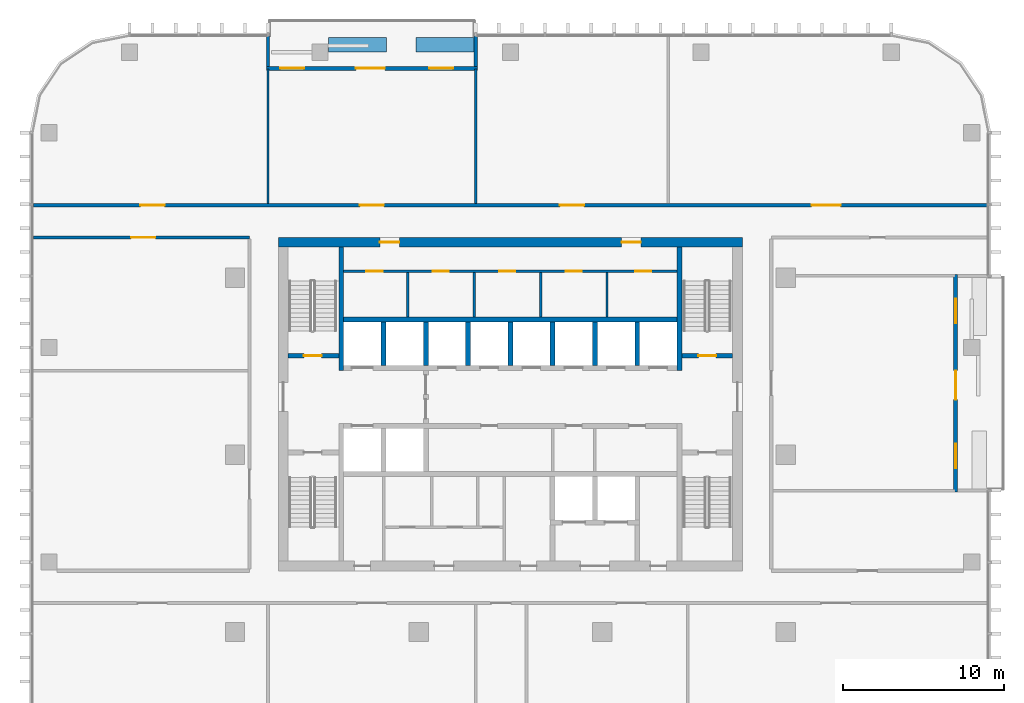
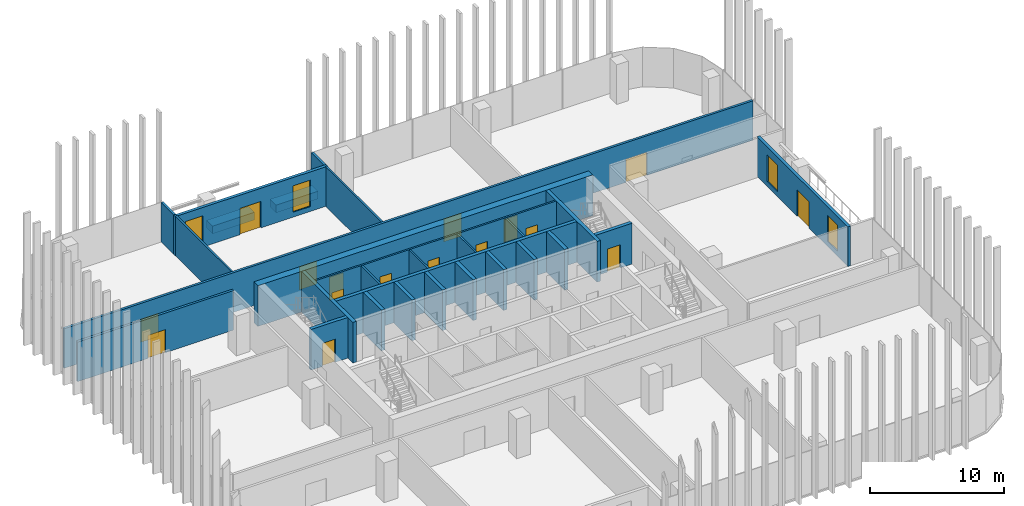
# One storey, part 9 of 16: 28 walls, 16 doors, 4 windows, 20 openings.
"""IFC4 building model written with IfcOpenShell, lengths in metres."""

from ifc_helpers import new_model, si_unit, direction, frame, frame_2d, origin, place, context, subcontext, project, spatial, rectangle, extrude, material, layer, layer_set, type_object, element, fill, save


model = new_model("IFC4")

# Units and contexts
model_context = context("Model", 3, precision=1e-05, world=origin(), true_north=direction((0.0, 1.0)))
body_context = subcontext(model_context, "Body", "Model", "MODEL_VIEW")
ifc_project = project(units=[si_unit("LENGTHUNIT", "METRE"), si_unit("AREAUNIT", "SQUARE_METRE"), si_unit("VOLUMEUNIT", "CUBIC_METRE"), si_unit("PLANEANGLEUNIT", "RADIAN"), si_unit("MASSUNIT", "GRAM", prefix="KILO")], contexts=[model_context])

# Site, building, storey
site_placement = place(None, origin())
site = spatial("IfcSite", under=ifc_project, at=site_placement, CompositionType="ELEMENT")
building_placement = place(site_placement, origin())
building = spatial("IfcBuilding", under=site, at=building_placement, Name="Mopane Tessera Tower", CompositionType="ELEMENT")
storey_placement = place(building_placement, frame((0.0, 0.0, 291.39990234375)))
storey = spatial("IfcBuildingStorey", under=building, at=storey_placement, Name="L63", CompositionType="ELEMENT", Elevation=291.39990234375)

# Walls
ifc_material_1 = material(Name="Fire-rated gypsum board partition")
ifc_layer_1 = layer(ifc_material_1, 0.14990234375)
ifc_layer_set_1 = layer_set([ifc_layer_1], Name="Fire-rated gypsum board partition")
wall_type_1 = type_object("IfcWallType", Name="Core room partition 150 mm", PredefinedType="PARTITIONING", material=ifc_layer_set_1)
for number, where, z_axis, x_axis, name in (
    (1, (-6.375, 8.550048828125, 0.0), (0.0, 0.0, 1.0), (0.0, 1.0, 0.0), "L63 Room partition"),
    (2, (-2.25, 8.550048828125, 0.0), (0.0, 0.0, 1.0), (0.0, 1.0, 0.0), "L63 Room partition"),
    (3, (1.875, 8.550048828125, 0.0), (0.0, 0.0, 1.0), (0.0, 1.0, 0.0), "L63 Room partition"),
    (4, (6.0, 8.550048828125, 0.0), (0.0, 0.0, 1.0), (0.0, 1.0, 0.0), "L63 Room partition"),
):
    element("IfcWall", number, at=place(storey_placement, frame(where, z_axis=z_axis, x_axis=x_axis)), inside=storey, type_object=wall_type_1, Name=name, PredefinedType="PARTITIONING", context=body_context, shape_type="SweptSolid", body=[
        extrude(rectangle(XDim=2.77490234375, YDim=0.14990234375, at=frame_2d((1.387451171875, 0.0))), origin(), (0.0, 0.0, 1.0), 3.7001953125),
    ])

# Wall, openings, doors
wall_1_placement = place(storey_placement, frame((-10.35009765625, 11.39990234375, 0.0), z_axis=(0.0, 0.0, 1.0), x_axis=(1.0, 0.0, 0.0)))
wall_1 = element("IfcWall", 5, at=wall_1_placement, inside=storey, type_object=wall_type_1, Name="L63 Corridor wall", PredefinedType="PARTITIONING", context=body_context, shape_type="SweptSolid", body=[
    extrude(rectangle(XDim=20.7001953125, YDim=0.14990234375, at=frame_2d((10.35009765625, 0.0))), origin(), (0.0, 0.0, 1.0), 3.7001953125),
])
opening_1_placement = place(wall_1_placement, frame((1.41259765625, 0.0, 0.0)))
opening_1 = element("IfcOpeningElement", 6, at=opening_1_placement, cuts=wall_1, Name="Opening RD1", PredefinedType="OPENING", context=body_context, shape_type="SweptSolid", body=[
    extrude(rectangle(XDim=1.0, YDim=2.10009765625, at=frame_2d((0.5, 1.050048828125))), frame((0.0, 0.0869140625, 0.0), z_axis=(0.0, -1.0, 0.0), x_axis=(1.0, 0.0, 0.0)), (0.0, 0.0, 1.0), 0.173828125),
])
opening_2_placement = place(wall_1_placement, frame((5.53759765625, 0.0, 0.0)))
opening_2 = element("IfcOpeningElement", 7, at=opening_2_placement, cuts=wall_1, Name="Opening RD1", PredefinedType="OPENING", context=body_context, shape_type="SweptSolid", body=[
    extrude(rectangle(XDim=1.0, YDim=2.10009765625, at=frame_2d((0.5, 1.050048828125))), frame((0.0, 0.0869140625, 0.0), z_axis=(0.0, -1.0, 0.0), x_axis=(1.0, 0.0, 0.0)), (0.0, 0.0, 1.0), 0.173828125),
])
opening_3_placement = place(wall_1_placement, frame((9.66259765625, 0.0, 0.0)))
opening_3 = element("IfcOpeningElement", 8, at=opening_3_placement, cuts=wall_1, Name="Opening RD1", PredefinedType="OPENING", context=body_context, shape_type="SweptSolid", body=[
    extrude(rectangle(XDim=1.0, YDim=2.10009765625, at=frame_2d((0.5, 1.050048828125))), frame((0.0, 0.0869140625, 0.0), z_axis=(0.0, -1.0, 0.0), x_axis=(1.0, 0.0, 0.0)), (0.0, 0.0, 1.0), 0.173828125),
])
opening_4_placement = place(wall_1_placement, frame((13.78759765625, 0.0, 0.0)))
opening_4 = element("IfcOpeningElement", 9, at=opening_4_placement, cuts=wall_1, Name="Opening RD1", PredefinedType="OPENING", context=body_context, shape_type="SweptSolid", body=[
    extrude(rectangle(XDim=1.0, YDim=2.10009765625, at=frame_2d((0.5, 1.050048828125))), frame((0.0, 0.0869140625, 0.0), z_axis=(0.0, -1.0, 0.0), x_axis=(1.0, 0.0, 0.0)), (0.0, 0.0, 1.0), 0.173828125),
])
opening_5_placement = place(wall_1_placement, frame((18.10009765625, 0.0, 0.0)))
opening_5 = element("IfcOpeningElement", 10, at=opening_5_placement, cuts=wall_1, Name="Opening RD1", PredefinedType="OPENING", context=body_context, shape_type="SweptSolid", body=[
    extrude(rectangle(XDim=1.0, YDim=2.10009765625, at=frame_2d((0.5, 1.050048828125))), frame((0.0, 0.0869140625, 0.0), z_axis=(0.0, -1.0, 0.0), x_axis=(1.0, 0.0, 0.0)), (0.0, 0.0, 1.0), 0.173828125),
])
ifc_material_2 = material(Name="Timber door", Category="wood")
door_type_1 = type_object("IfcDoorType", Name="Core room door 1000 x 2100", OperationType="SINGLE_SWING_LEFT", PredefinedType="DOOR", material=ifc_material_2)
door_1_placement = place(opening_1_placement, origin())
door_1 = element("IfcDoor", 11, at=door_1_placement, inside=storey, type_object=door_type_1, Name="L63 Room door", OperationType="SINGLE_SWING_LEFT", OverallHeight=2.10009765625, OverallWidth=1.0, PredefinedType="DOOR", context=body_context, shape_type="SweptSolid", body=[
    extrude(rectangle(XDim=1.0, YDim=2.10009765625, at=frame_2d((0.5, 1.050048828125))), frame((0.0, 0.02490234375, 0.0), z_axis=(0.0, -1.0, 0.0), x_axis=(1.0, 0.0, 0.0)), (0.0, 0.0, 1.0), 0.050048828125),
])
fill(opening_1, door_1)
door_2_placement = place(opening_2_placement, origin())
door_2 = element("IfcDoor", 12, at=door_2_placement, inside=storey, type_object=door_type_1, Name="L63 Room door", OperationType="SINGLE_SWING_LEFT", OverallHeight=2.10009765625, OverallWidth=1.0, PredefinedType="DOOR", context=body_context, shape_type="SweptSolid", body=[
    extrude(rectangle(XDim=1.0, YDim=2.10009765625, at=frame_2d((0.5, 1.050048828125))), frame((0.0, 0.02490234375, 0.0), z_axis=(0.0, -1.0, 0.0), x_axis=(1.0, 0.0, 0.0)), (0.0, 0.0, 1.0), 0.050048828125),
])
fill(opening_2, door_2)
door_3_placement = place(opening_3_placement, origin())
door_3 = element("IfcDoor", 13, at=door_3_placement, inside=storey, type_object=door_type_1, Name="L63 Room door", OperationType="SINGLE_SWING_LEFT", OverallHeight=2.10009765625, OverallWidth=1.0, PredefinedType="DOOR", context=body_context, shape_type="SweptSolid", body=[
    extrude(rectangle(XDim=1.0, YDim=2.10009765625, at=frame_2d((0.5, 1.050048828125))), frame((0.0, 0.02490234375, 0.0), z_axis=(0.0, -1.0, 0.0), x_axis=(1.0, 0.0, 0.0)), (0.0, 0.0, 1.0), 0.050048828125),
])
fill(opening_3, door_3)
door_4_placement = place(opening_4_placement, origin())
door_4 = element("IfcDoor", 14, at=door_4_placement, inside=storey, type_object=door_type_1, Name="L63 Room door", OperationType="SINGLE_SWING_LEFT", OverallHeight=2.10009765625, OverallWidth=1.0, PredefinedType="DOOR", context=body_context, shape_type="SweptSolid", body=[
    extrude(rectangle(XDim=1.0, YDim=2.10009765625, at=frame_2d((0.5, 1.050048828125))), frame((0.0, 0.02490234375, 0.0), z_axis=(0.0, -1.0, 0.0), x_axis=(1.0, 0.0, 0.0)), (0.0, 0.0, 1.0), 0.050048828125),
])
fill(opening_4, door_4)
door_5_placement = place(opening_5_placement, origin())
door_5 = element("IfcDoor", 15, at=door_5_placement, inside=storey, type_object=door_type_1, Name="L63 Room door", OperationType="SINGLE_SWING_LEFT", OverallHeight=2.10009765625, OverallWidth=1.0, PredefinedType="DOOR", context=body_context, shape_type="SweptSolid", body=[
    extrude(rectangle(XDim=1.0, YDim=2.10009765625, at=frame_2d((0.5, 1.050048828125))), frame((0.0, 0.02490234375, 0.0), z_axis=(0.0, -1.0, 0.0), x_axis=(1.0, 0.0, 0.0)), (0.0, 0.0, 1.0), 0.050048828125),
])
fill(opening_5, door_5)

ifc_material_3 = material(Name="Concrete C70/85", Category="concrete")
ifc_layer_2 = layer(ifc_material_3, 0.60009765625)
ifc_layer_set_2 = layer_set([ifc_layer_2], Name="Concrete C70/85")
wall_type_2 = type_object("IfcWallType", Name="Core shear wall 600 mm", PredefinedType="SHEAR", material=ifc_layer_set_2)
wall_2_placement = place(storey_placement, frame((-14.39990234375, 13.199951171875, 0.0), z_axis=(0.0, 0.0, 1.0), x_axis=(1.0, 0.0, 0.0)))
wall_2 = element("IfcWall", 16, at=wall_2_placement, inside=storey, type_object=wall_type_2, Name="L63 Core wall north", PredefinedType="SHEAR", context=body_context, shape_type="SweptSolid", body=[
    extrude(rectangle(XDim=28.7998046875, YDim=0.60009765625, at=frame_2d((14.39990234375, 0.0))), origin(), (0.0, 0.0, 1.0), 3.7001953125),
])
opening_6_placement = place(wall_2_placement, frame((6.300048828125, 0.0, 0.0)))
opening_6 = element("IfcOpeningElement", 17, at=opening_6_placement, cuts=wall_2, Name="Opening RD2", PredefinedType="OPENING", context=body_context, shape_type="SweptSolid", body=[
    extrude(rectangle(XDim=1.199951171875, YDim=2.10009765625, at=frame_2d((0.60009765625, 1.050048828125))), frame((0.0, 0.31201171875, 0.0), z_axis=(0.0, -1.0, 0.0), x_axis=(1.0, 0.0, 0.0)), (0.0, 0.0, 1.0), 0.6240234375),
])
opening_7_placement = place(wall_2_placement, frame((21.300048828125, 0.0, 0.0)))
opening_7 = element("IfcOpeningElement", 18, at=opening_7_placement, cuts=wall_2, Name="Opening RD2", PredefinedType="OPENING", context=body_context, shape_type="SweptSolid", body=[
    extrude(rectangle(XDim=1.199951171875, YDim=2.10009765625, at=frame_2d((0.60009765625, 1.050048828125))), frame((0.0, 0.31201171875, 0.0), z_axis=(0.0, -1.0, 0.0), x_axis=(1.0, 0.0, 0.0)), (0.0, 0.0, 1.0), 0.6240234375),
])
ifc_material_4 = material(Name="Timber door", Category="wood")
door_type_2 = type_object("IfcDoorType", Name="Core corridor door 1200 x 2100", OperationType="SINGLE_SWING_LEFT", PredefinedType="DOOR", material=ifc_material_4)
door_6_placement = place(opening_6_placement, origin())
door_6 = element("IfcDoor", 19, at=door_6_placement, inside=storey, type_object=door_type_2, Name="L63 Corridor door", OperationType="SINGLE_SWING_LEFT", OverallHeight=2.10009765625, OverallWidth=1.199951171875, PredefinedType="DOOR", context=body_context, shape_type="SweptSolid", body=[
    extrude(rectangle(XDim=1.199951171875, YDim=2.10009765625, at=frame_2d((0.60009765625, 1.050048828125))), frame((0.0, 0.02490234375, 0.0), z_axis=(0.0, -1.0, 0.0), x_axis=(1.0, 0.0, 0.0)), (0.0, 0.0, 1.0), 0.050048828125),
])
fill(opening_6, door_6)
door_7_placement = place(opening_7_placement, origin())
door_7 = element("IfcDoor", 20, at=door_7_placement, inside=storey, type_object=door_type_2, Name="L63 Corridor door", OperationType="SINGLE_SWING_RIGHT", OverallHeight=2.10009765625, OverallWidth=1.199951171875, PredefinedType="DOOR", context=body_context, shape_type="SweptSolid", body=[
    extrude(rectangle(XDim=1.199951171875, YDim=2.10009765625, at=frame_2d((0.60009765625, 1.050048828125))), frame((0.0, 0.02490234375, 0.0), z_axis=(0.0, -1.0, 0.0), x_axis=(1.0, 0.0, 0.0)), (0.0, 0.0, 1.0), 0.050048828125),
])
fill(opening_7, door_7)

# Walls
ifc_material_5 = material(Name="Concrete C60/75", Category="concrete")
ifc_layer_3 = layer(ifc_material_5, 0.300048828125)
ifc_layer_set_3 = layer_set([ifc_layer_3], Name="Concrete C60/75")
wall_type_3 = type_object("IfcWallType", Name="Core spine wall 300 mm", PredefinedType="SHEAR", material=ifc_layer_set_3)
for number, where, z_axis, x_axis, name in (
    (21, (-10.5, 5.25, 0.0), (0.0, 0.0, 1.0), (0.0, 1.0, 0.0), "L63 Core spine wall"),
    (22, (10.5, 5.25, 0.0), (0.0, 0.0, 1.0), (0.0, 1.0, 0.0), "L63 Core spine wall"),
):
    element("IfcWall", number, at=place(storey_placement, frame(where, z_axis=z_axis, x_axis=x_axis)), inside=storey, type_object=wall_type_3, Name=name, PredefinedType="SHEAR", context=body_context, shape_type="SweptSolid", body=[
        extrude(rectangle(XDim=7.64990234375, YDim=0.300048828125, at=frame_2d((3.824951171875, 0.0))), origin(), (0.0, 0.0, 1.0), 3.7001953125),
    ])

# Wall, opening, door
ifc_material_6 = material(Name="Gypsum board on steel studs, two layers each face, mineral wool infill", Category="steel")
ifc_layer_4 = layer(ifc_material_6, 0.199951171875)
ifc_layer_set_4 = layer_set([ifc_layer_4], Name="Gypsum board on steel studs, two layers each face, mineral wool infill")
wall_type_4 = type_object("IfcWallType", Name="Gypsum board corridor wall 200, rated EI 60", PredefinedType="PARTITIONING", material=ifc_layer_set_4)
wall_3_placement = place(storey_placement, frame((-29.60009765625, 13.5, 0.0), z_axis=(0.0, 0.0, 1.0), x_axis=(1.0, 0.0, 0.0)))
wall_3 = element("IfcWall", 23, at=wall_3_placement, inside=storey, type_object=wall_type_4, Name="Partition L63:006", PredefinedType="PARTITIONING", context=body_context, shape_type="SweptSolid", body=[
    extrude(rectangle(XDim=13.400146484375, YDim=0.199951171875, at=frame_2d((6.7001953125, 0.0))), origin(), (0.0, 0.0, 1.0), 3.60009765625),
])
opening_8_placement = place(wall_3_placement, frame((6.050048828125, 0.0, 0.0)))
opening_8 = element("IfcOpeningElement", 24, at=opening_8_placement, cuts=wall_3, Name="Opening L63-05", PredefinedType="OPENING", context=body_context, shape_type="SweptSolid", body=[
    extrude(rectangle(XDim=1.5, YDim=2.10009765625, at=frame_2d((0.75, 1.050048828125))), frame((0.0, 0.112060546875, 0.0), z_axis=(0.0, -1.0, 0.0), x_axis=(1.0, 0.0, 0.0)), (0.0, 0.0, 1.0), 0.223876953125),
])
ifc_material_7 = material(Name="Timber veneered steel-framed fire door", Category="steel")
door_type_3 = type_object("IfcDoorType", Name="Fire door pair FD60 1500 x 2100", OperationType="DOUBLE_DOOR_SINGLE_SWING", PredefinedType="DOOR", material=ifc_material_7)
door_8_placement = place(opening_8_placement, origin())
door_8 = element("IfcDoor", 25, at=door_8_placement, inside=storey, type_object=door_type_3, Name="Door L63-05", ObjectType="D17A", OperationType="DOUBLE_DOOR_SINGLE_SWING", OverallHeight=2.10009765625, OverallWidth=1.5, PredefinedType="DOOR", context=body_context, shape_type="SweptSolid", body=[
    extrude(rectangle(XDim=1.5, YDim=2.10009765625, at=frame_2d((0.75, 1.050048828125))), frame((0.0, 0.02490234375, 0.0), z_axis=(0.0, -1.0, 0.0), x_axis=(1.0, 0.0, 0.0)), (0.0, 0.0, 1.0), 0.050048828125),
])
fill(opening_8, door_8)

# Wall, openings, doors
wall_4_placement = place(storey_placement, frame((-29.60009765625, 15.5, 0.0), z_axis=(0.0, 0.0, 1.0), x_axis=(1.0, 0.0, 0.0)))
wall_4 = element("IfcWall", 26, at=wall_4_placement, inside=storey, type_object=wall_type_4, Name="Partition L63:008", PredefinedType="PARTITIONING", context=body_context, shape_type="SweptSolid", body=[
    extrude(rectangle(XDim=59.2001953125, YDim=0.199951171875, at=frame_2d((29.60009765625, 0.0))), origin(), (0.0, 0.0, 1.0), 3.60009765625),
])
opening_9_placement = place(wall_4_placement, frame((48.300048828125, 0.0, 0.0)))
opening_9 = element("IfcOpeningElement", 27, at=opening_9_placement, cuts=wall_4, Name="Opening L63-01", PredefinedType="OPENING", context=body_context, shape_type="SweptSolid", body=[
    extrude(rectangle(XDim=1.800048828125, YDim=2.10009765625, at=frame_2d((0.89990234375, 1.050048828125))), frame((0.0, 0.112060546875, 0.0), z_axis=(0.0, -1.0, 0.0), x_axis=(1.0, 0.0, 0.0)), (0.0, 0.0, 1.0), 0.223876953125),
])
opening_10_placement = place(wall_4_placement, frame((32.675048828125, 0.0, 0.0)))
opening_10 = element("IfcOpeningElement", 28, at=opening_10_placement, cuts=wall_4, Name="Opening L63-02", PredefinedType="OPENING", context=body_context, shape_type="SweptSolid", body=[
    extrude(rectangle(XDim=1.5, YDim=2.10009765625, at=frame_2d((0.75, 1.050048828125))), frame((0.0, 0.112060546875, 0.0), z_axis=(0.0, -1.0, 0.0), x_axis=(1.0, 0.0, 0.0)), (0.0, 0.0, 1.0), 0.223876953125),
])
opening_11_placement = place(wall_4_placement, frame((6.625, 0.0, 0.0)))
opening_11 = element("IfcOpeningElement", 29, at=opening_11_placement, cuts=wall_4, Name="Opening L63-06", PredefinedType="OPENING", context=body_context, shape_type="SweptSolid", body=[
    extrude(rectangle(XDim=1.5, YDim=2.10009765625, at=frame_2d((0.75, 1.050048828125))), frame((0.0, 0.112060546875, 0.0), z_axis=(0.0, -1.0, 0.0), x_axis=(1.0, 0.0, 0.0)), (0.0, 0.0, 1.0), 0.223876953125),
])
opening_12_placement = place(wall_4_placement, frame((20.25, 0.0, 0.0)))
opening_12 = element("IfcOpeningElement", 30, at=opening_12_placement, cuts=wall_4, Name="Opening L63-10", PredefinedType="OPENING", context=body_context, shape_type="SweptSolid", body=[
    extrude(rectangle(XDim=1.5, YDim=2.10009765625, at=frame_2d((0.75, 1.050048828125))), frame((0.0, 0.112060546875, 0.0), z_axis=(0.0, -1.0, 0.0), x_axis=(1.0, 0.0, 0.0)), (0.0, 0.0, 1.0), 0.223876953125),
])
door_9_placement = place(opening_10_placement, origin())
door_9 = element("IfcDoor", 31, at=door_9_placement, inside=storey, type_object=door_type_3, Name="Door L63-02", ObjectType="D17A", OperationType="DOUBLE_DOOR_SINGLE_SWING", OverallHeight=2.10009765625, OverallWidth=1.5, PredefinedType="DOOR", context=body_context, shape_type="SweptSolid", body=[
    extrude(rectangle(XDim=1.5, YDim=2.10009765625, at=frame_2d((0.75, 1.050048828125))), frame((0.0, 0.02490234375, 0.0), z_axis=(0.0, -1.0, 0.0), x_axis=(1.0, 0.0, 0.0)), (0.0, 0.0, 1.0), 0.050048828125),
])
fill(opening_10, door_9)
door_10_placement = place(opening_11_placement, origin())
door_10 = element("IfcDoor", 32, at=door_10_placement, inside=storey, type_object=door_type_3, Name="Door L63-06", ObjectType="D17A", OperationType="DOUBLE_DOOR_SINGLE_SWING", OverallHeight=2.10009765625, OverallWidth=1.5, PredefinedType="DOOR", context=body_context, shape_type="SweptSolid", body=[
    extrude(rectangle(XDim=1.5, YDim=2.10009765625, at=frame_2d((0.75, 1.050048828125))), frame((0.0, 0.02490234375, 0.0), z_axis=(0.0, -1.0, 0.0), x_axis=(1.0, 0.0, 0.0)), (0.0, 0.0, 1.0), 0.050048828125),
])
fill(opening_11, door_10)
door_11_placement = place(opening_12_placement, origin())
door_11 = element("IfcDoor", 33, at=door_11_placement, inside=storey, type_object=door_type_3, Name="Door L63-10", ObjectType="D17A", OperationType="DOUBLE_DOOR_SINGLE_SWING", OverallHeight=2.10009765625, OverallWidth=1.5, PredefinedType="DOOR", context=body_context, shape_type="SweptSolid", body=[
    extrude(rectangle(XDim=1.5, YDim=2.10009765625, at=frame_2d((0.75, 1.050048828125))), frame((0.0, 0.02490234375, 0.0), z_axis=(0.0, -1.0, 0.0), x_axis=(1.0, 0.0, 0.0)), (0.0, 0.0, 1.0), 0.050048828125),
])
fill(opening_12, door_11)
ifc_material_8 = material(Name="Timber veneered steel-framed fire door", Category="steel")
door_type_4 = type_object("IfcDoorType", Name="Fire door pair FD60 1800 x 2100", OperationType="DOUBLE_DOOR_SINGLE_SWING", PredefinedType="DOOR", material=ifc_material_8)
door_12_placement = place(opening_9_placement, origin())
door_12 = element("IfcDoor", 34, at=door_12_placement, inside=storey, type_object=door_type_4, Name="Door L63-01", ObjectType="D20A", OperationType="DOUBLE_DOOR_SINGLE_SWING", OverallHeight=2.10009765625, OverallWidth=1.800048828125, PredefinedType="DOOR", context=body_context, shape_type="SweptSolid", body=[
    extrude(rectangle(XDim=1.800048828125, YDim=2.10009765625, at=frame_2d((0.89990234375, 1.050048828125))), frame((0.0, 0.02490234375, 0.0), z_axis=(0.0, -1.0, 0.0), x_axis=(1.0, 0.0, 0.0)), (0.0, 0.0, 1.0), 0.050048828125),
])
fill(opening_9, door_12)

# Walls
ifc_material_9 = material(Name="Gypsum board on steel studs, mineral wool infill", Category="steel")
ifc_layer_5 = layer(ifc_material_9, 0.14990234375)
ifc_layer_set_5 = layer_set([ifc_layer_5], Name="Gypsum board on steel studs, mineral wool infill")
wall_type_5 = type_object("IfcWallType", Name="Gypsum board partition 150, rated EI 60", PredefinedType="PARTITIONING", material=ifc_layer_set_5)
for number, where, z_axis, x_axis, name in (
    (35, (-15.050048828125, 15.60009765625, 0.0), (0.0, 0.0, 1.0), (0.0, 1.0, 0.0), "Partition L63:010"),
    (36, (-2.14990234375, 15.60009765625, 0.0), (0.0, 0.0, 1.0), (0.0, 1.0, 0.0), "Partition L63:012"),
):
    element("IfcWall", number, at=place(storey_placement, frame(where, z_axis=z_axis, x_axis=x_axis)), inside=storey, type_object=wall_type_5, Name=name, PredefinedType="PARTITIONING", context=body_context, shape_type="SweptSolid", body=[
        extrude(rectangle(XDim=8.349853515625, YDim=0.14990234375, at=frame_2d((4.1748046875, 0.0))), origin(), (0.0, 0.0, 1.0), 3.60009765625),
    ])

# Wall, opening, door
ifc_material_10 = material(Name="Concrete C50/60", Category="concrete")
ifc_layer_6 = layer(ifc_material_10, 0.300048828125)
ifc_layer_set_6 = layer_set([ifc_layer_6], Name="Concrete C50/60")
wall_type_6 = type_object("IfcWallType", Name="Lift and stair shaft wall 300 mm", PredefinedType="SOLIDWALL", material=ifc_layer_set_6)
wall_5_placement = place(storey_placement, frame((-13.800048828125, 6.14990234375, 0.0), z_axis=(0.0, 0.0, 1.0), x_axis=(1.0, 0.0, 0.0)))
wall_5 = element("IfcWall", 37, at=wall_5_placement, inside=storey, type_object=wall_type_6, Name="L63 Stair enclosure wall", PredefinedType="SOLIDWALL", context=body_context, shape_type="SweptSolid", body=[
    extrude(rectangle(XDim=3.150146484375, YDim=0.300048828125, at=frame_2d((1.5751953125, 0.0))), origin(), (0.0, 0.0, 1.0), 3.7001953125),
])
opening_13_placement = place(wall_5_placement, frame((0.97509765625, 0.0, 0.0)))
opening_13 = element("IfcOpeningElement", 38, at=opening_13_placement, cuts=wall_5, Name="Opening SD1", PredefinedType="OPENING", context=body_context, shape_type="SweptSolid", body=[
    extrude(rectangle(XDim=1.10009765625, YDim=2.10009765625, at=frame_2d((0.550048828125, 1.050048828125))), frame((0.0, 0.162109375, 0.0), z_axis=(0.0, -1.0, 0.0), x_axis=(1.0, 0.0, 0.0)), (0.0, 0.0, 1.0), 0.323974609375),
])
ifc_material_11 = material(Name="Steel fire door", Category="steel")
door_type_5 = type_object("IfcDoorType", Name="Stair fire door 1100 x 2100", OperationType="SINGLE_SWING_LEFT", PredefinedType="DOOR", material=ifc_material_11)
door_13_placement = place(opening_13_placement, origin())
door_13 = element("IfcDoor", 39, at=door_13_placement, inside=storey, type_object=door_type_5, Name="L63 Stair door ST2", OperationType="SINGLE_SWING_LEFT", OverallHeight=2.10009765625, OverallWidth=1.10009765625, PredefinedType="DOOR", context=body_context, shape_type="SweptSolid", body=[
    extrude(rectangle(XDim=1.10009765625, YDim=2.10009765625, at=frame_2d((0.550048828125, 1.050048828125))), frame((0.0, 0.02490234375, 0.0), z_axis=(0.0, -1.0, 0.0), x_axis=(1.0, 0.0, 0.0)), (0.0, 0.0, 1.0), 0.050048828125),
])
fill(opening_13, door_13)

wall_6_placement = place(storey_placement, frame((10.64990234375, 6.14990234375, 0.0), z_axis=(0.0, 0.0, 1.0), x_axis=(1.0, 0.0, 0.0)))
wall_6 = element("IfcWall", 40, at=wall_6_placement, inside=storey, type_object=wall_type_6, Name="L63 Stair enclosure wall", PredefinedType="SOLIDWALL", context=body_context, shape_type="SweptSolid", body=[
    extrude(rectangle(XDim=3.150146484375, YDim=0.300048828125, at=frame_2d((1.5751953125, 0.0))), origin(), (0.0, 0.0, 1.0), 3.7001953125),
])
opening_14_placement = place(wall_6_placement, frame((1.02490234375, 0.0, 0.0)))
opening_14 = element("IfcOpeningElement", 41, at=opening_14_placement, cuts=wall_6, Name="Opening SD1", PredefinedType="OPENING", context=body_context, shape_type="SweptSolid", body=[
    extrude(rectangle(XDim=1.10009765625, YDim=2.10009765625, at=frame_2d((0.550048828125, 1.050048828125))), frame((0.0, 0.162109375, 0.0), z_axis=(0.0, -1.0, 0.0), x_axis=(1.0, 0.0, 0.0)), (0.0, 0.0, 1.0), 0.323974609375),
])
door_14_placement = place(opening_14_placement, origin())
door_14 = element("IfcDoor", 42, at=door_14_placement, inside=storey, type_object=door_type_5, Name="L63 Stair door ST4", OperationType="SINGLE_SWING_RIGHT", OverallHeight=2.10009765625, OverallWidth=1.10009765625, PredefinedType="DOOR", context=body_context, shape_type="SweptSolid", body=[
    extrude(rectangle(XDim=1.10009765625, YDim=2.10009765625, at=frame_2d((0.550048828125, 1.050048828125))), frame((0.0, 0.02490234375, 0.0), z_axis=(0.0, -1.0, 0.0), x_axis=(1.0, 0.0, 0.0)), (0.0, 0.0, 1.0), 0.050048828125),
])
fill(opening_14, door_14)

# Walls
wall_7_placement = place(storey_placement, frame((-10.35009765625, 8.39990234375, 0.0), z_axis=(0.0, 0.0, 1.0), x_axis=(1.0, 0.0, 0.0)))
element("IfcWall", 43, at=wall_7_placement, inside=storey, type_object=wall_type_6, Name="L63 Lift shaft rear wall", PredefinedType="SOLIDWALL", context=body_context, shape_type="SweptSolid", body=[
    extrude(rectangle(XDim=20.7001953125, YDim=0.300048828125, at=frame_2d((10.35009765625, 0.0))), origin(), (0.0, 0.0, 1.0), 3.7001953125),
])
for number, where, z_axis, x_axis, name in (
    (44, (-7.875, 5.550048828125, 0.0), (0.0, 0.0, 1.0), (0.0, 1.0, 0.0), "L63 Lift shaft wall"),
    (45, (-5.25, 5.550048828125, 0.0), (0.0, 0.0, 1.0), (0.0, 1.0, 0.0), "L63 Lift shaft wall"),
    (46, (-2.625, 5.550048828125, 0.0), (0.0, 0.0, 1.0), (0.0, 1.0, 0.0), "L63 Lift shaft wall"),
    (47, (0.0, 5.550048828125, 0.0), (0.0, 0.0, 1.0), (0.0, 1.0, 0.0), "L63 Lift shaft wall"),
    (48, (2.625, 5.550048828125, 0.0), (0.0, 0.0, 1.0), (0.0, 1.0, 0.0), "L63 Lift shaft wall"),
    (49, (5.25, 5.550048828125, 0.0), (0.0, 0.0, 1.0), (0.0, 1.0, 0.0), "L63 Lift shaft wall"),
    (50, (7.875, 5.550048828125, 0.0), (0.0, 0.0, 1.0), (0.0, 1.0, 0.0), "L63 Lift shaft wall"),
):
    element("IfcWall", number, at=place(storey_placement, frame(where, z_axis=z_axis, x_axis=x_axis)), inside=storey, type_object=wall_type_6, Name=name, PredefinedType="SOLIDWALL", context=body_context, shape_type="SweptSolid", body=[
        extrude(rectangle(XDim=2.699951171875, YDim=0.300048828125, at=frame_2d((1.35009765625, 0.0))), origin(), (0.0, 0.0, 1.0), 3.7001953125),
    ])
ifc_material_12 = material(Name="Reinforced concrete C32/40 with waterproofing", Category="concrete")
ifc_layer_7 = layer(ifc_material_12, 0.89990234375)
ifc_layer_set_7 = layer_set([ifc_layer_7], Name="Reinforced concrete C32/40 with waterproofing")
wall_type_7 = type_object("IfcWallType", Name="Planter trough 3600 x 900", PredefinedType="STANDARD", material=ifc_layer_set_7)
for number, where, z_axis, x_axis, name in (
    (51, (-2.25, 25.449951171875, 0.0), (0.0, 0.0, 1.0), (-1.0, 0.0, 0.0), "e:nw:L63:N2:pl0"),
    (52, (-7.704833984375, 25.449951171875, 0.0), (0.0, 0.0, 1.0), (-1.0, 0.0, 0.0), "e:nw:L63:N2:pl1"),
):
    element("IfcWall", number, at=place(storey_placement, frame(where, z_axis=z_axis, x_axis=x_axis)), inside=storey, type_object=wall_type_7, Name=name, PredefinedType="STANDARD", context=body_context, shape_type="SweptSolid", body=[
        extrude(rectangle(XDim=3.60009765625, YDim=0.89990234375, at=frame_2d((1.800048828125, 0.0))), origin(), (0.0, 0.0, 1.0), 0.7001953125),
    ])
ifc_material_13 = material(Name="Blockwork with glazed tile facing", Category="masonry")
ifc_layer_8 = layer(ifc_material_13, 0.199951171875)
ifc_layer_set_8 = layer_set([ifc_layer_8], Name="Blockwork with glazed tile facing")
wall_type_8 = type_object("IfcWallType", Name="Terrace cheek wall 200", PredefinedType="STANDARD", material=ifc_layer_set_8)
for number, where, z_axis, x_axis, name in (
    (53, (-2.14990234375, 26.0, 0.0), (0.0, 0.0, 1.0), (0.0, -1.0, 0.0), "e:nw:L63:N2:cheeka"),
    (54, (-15.050048828125, 26.0, 0.0), (0.0, 0.0, 1.0), (0.0, -1.0, 0.0), "e:nw:L63:N2:cheekb"),
):
    element("IfcWall", number, at=place(storey_placement, frame(where, z_axis=z_axis, x_axis=x_axis)), inside=storey, type_object=wall_type_8, Name=name, PredefinedType="STANDARD", context=body_context, shape_type="SweptSolid", body=[
        extrude(rectangle(XDim=1.875, YDim=0.199951171875, at=frame_2d((0.9375, 0.0))), origin(), (0.0, 0.0, 1.0), 3.60009765625),
    ])

# Wall, openings, windows, door
ifc_material_14 = material(Name="Blockwork with ultramarine glazed tile facing", Category="masonry")
ifc_layer_9 = layer(ifc_material_14, 0.25)
ifc_layer_set_9 = layer_set([ifc_layer_9], Name="Blockwork with ultramarine glazed tile facing")
wall_type_9 = type_object("IfcWallType", Name="Tile-clad external wall 250, ultramarine", PredefinedType="STANDARD", material=ifc_layer_set_9)
wall_8_placement = place(storey_placement, frame((27.64990234375, -2.322265625, 0.0), z_axis=(0.0, 0.0, 1.0), x_axis=(0.0, 1.0, 0.0)))
wall_8 = element("IfcWall", 55, at=wall_8_placement, inside=storey, type_object=wall_type_9, Name="e:nw:L63:N1:back", PredefinedType="STANDARD", context=body_context, shape_type="SweptSolid", body=[
    extrude(rectangle(XDim=13.533447265625, YDim=0.25, at=frame_2d((6.7666015625, 0.0))), origin(), (0.0, 0.0, 1.0), 3.60009765625),
])
opening_15_placement = place(wall_8_placement, frame((1.5, 0.0, 0.449951171875)))
opening_15 = element("IfcOpeningElement", 56, at=opening_15_placement, cuts=wall_8, Name="Opening NW631A", PredefinedType="OPENING", context=body_context, shape_type="SweptSolid", body=[
    extrude(rectangle(XDim=1.5, YDim=2.39990234375, at=frame_2d((0.75, 1.199951171875))), frame((0.0, 0.136962890625, 0.0), z_axis=(0.0, -1.0, 0.0), x_axis=(1.0, 0.0, 0.0)), (0.0, 0.0, 1.0), 0.27392578125),
])
opening_16_placement = place(wall_8_placement, frame((5.75, 0.0, 0.0)))
opening_16 = element("IfcOpeningElement", 57, at=opening_16_placement, cuts=wall_8, Name="Opening ND631", PredefinedType="OPENING", context=body_context, shape_type="SweptSolid", body=[
    extrude(rectangle(XDim=1.800048828125, YDim=2.39990234375, at=frame_2d((0.89990234375, 1.199951171875))), frame((0.0, 0.136962890625, 0.0), z_axis=(0.0, -1.0, 0.0), x_axis=(1.0, 0.0, 0.0)), (0.0, 0.0, 1.0), 0.27392578125),
])
opening_17_placement = place(wall_8_placement, frame((10.5, 0.0, 0.449951171875)))
opening_17 = element("IfcOpeningElement", 58, at=opening_17_placement, cuts=wall_8, Name="Opening NW631B", PredefinedType="OPENING", context=body_context, shape_type="SweptSolid", body=[
    extrude(rectangle(XDim=1.5, YDim=2.39990234375, at=frame_2d((0.75, 1.199951171875))), frame((0.0, 0.136962890625, 0.0), z_axis=(0.0, -1.0, 0.0), x_axis=(1.0, 0.0, 0.0)), (0.0, 0.0, 1.0), 0.27392578125),
])
ifc_material_15 = material(Name="Clear laminated glass", Category="glass")
window_type = type_object("IfcWindowType", Name="Fixed window 1500 x 2400", PartitioningType="SINGLE_PANEL", PredefinedType="WINDOW", material=ifc_material_15)
window_1_placement = place(opening_15_placement, origin())
window_1 = element("IfcWindow", 59, at=window_1_placement, inside=storey, type_object=window_type, Name="e:nw:L63:N1:win0", OverallHeight=2.39990234375, OverallWidth=1.5, PartitioningType="SINGLE_PANEL", PredefinedType="WINDOW", context=body_context, shape_type="SweptSolid", body=[
    extrude(rectangle(XDim=1.5, YDim=2.39990234375, at=frame_2d((0.75, 1.199951171875))), frame((0.0, 0.030029296875, 0.0), z_axis=(0.0, -1.0, 0.0), x_axis=(1.0, 0.0, 0.0)), (0.0, 0.0, 1.0), 0.06005859375),
])
fill(opening_15, window_1)
window_2_placement = place(opening_17_placement, origin())
window_2 = element("IfcWindow", 60, at=window_2_placement, inside=storey, type_object=window_type, Name="e:nw:L63:N1:win2", OverallHeight=2.39990234375, OverallWidth=1.5, PartitioningType="SINGLE_PANEL", PredefinedType="WINDOW", context=body_context, shape_type="SweptSolid", body=[
    extrude(rectangle(XDim=1.5, YDim=2.39990234375, at=frame_2d((0.75, 1.199951171875))), frame((0.0, 0.030029296875, 0.0), z_axis=(0.0, -1.0, 0.0), x_axis=(1.0, 0.0, 0.0)), (0.0, 0.0, 1.0), 0.06005859375),
])
fill(opening_17, window_2)
ifc_material_16 = material(Name="Aluminium and clear glass", Category="aluminium")
door_type_6 = type_object("IfcDoorType", Name="Terrace double door 1800 x 2400", OperationType="DOUBLE_DOOR_SINGLE_SWING", PredefinedType="DOOR", material=ifc_material_16)
door_15_placement = place(opening_16_placement, origin())
door_15 = element("IfcDoor", 61, at=door_15_placement, inside=storey, type_object=door_type_6, Name="e:nw:L63:N1:door", ObjectType="D1", OperationType="DOUBLE_DOOR_SINGLE_SWING", OverallHeight=2.39990234375, OverallWidth=1.800048828125, PredefinedType="DOOR", context=body_context, shape_type="SweptSolid", body=[
    extrude(rectangle(XDim=1.800048828125, YDim=2.39990234375, at=frame_2d((0.89990234375, 1.199951171875))), frame((0.0, 0.02490234375, 0.0), z_axis=(0.0, -1.0, 0.0), x_axis=(1.0, 0.0, 0.0)), (0.0, 0.0, 1.0), 0.050048828125),
])
fill(opening_16, door_15)

wall_9_placement = place(storey_placement, frame((-2.050048828125, 24.0, 0.0), z_axis=(0.0, 0.0, 1.0), x_axis=(-1.0, 0.0, 0.0)))
wall_9 = element("IfcWall", 62, at=wall_9_placement, inside=storey, type_object=wall_type_9, Name="e:nw:L63:N2:back", PredefinedType="STANDARD", context=body_context, shape_type="SweptSolid", body=[
    extrude(rectangle(XDim=13.099853515625, YDim=0.25, at=frame_2d((6.5498046875, 0.0))), origin(), (0.0, 0.0, 1.0), 3.60009765625),
])
opening_18_placement = place(wall_9_placement, frame((1.5, 0.0, 0.449951171875)))
opening_18 = element("IfcOpeningElement", 63, at=opening_18_placement, cuts=wall_9, Name="Opening NW632A", PredefinedType="OPENING", context=body_context, shape_type="SweptSolid", body=[
    extrude(rectangle(XDim=1.5, YDim=2.39990234375, at=frame_2d((0.75, 1.199951171875))), frame((0.0, 0.136962890625, 0.0), z_axis=(0.0, -1.0, 0.0), x_axis=(1.0, 0.0, 0.0)), (0.0, 0.0, 1.0), 0.27392578125),
])
opening_19_placement = place(wall_9_placement, frame((5.75, 0.0, 0.0)))
opening_19 = element("IfcOpeningElement", 64, at=opening_19_placement, cuts=wall_9, Name="Opening ND632", PredefinedType="OPENING", context=body_context, shape_type="SweptSolid", body=[
    extrude(rectangle(XDim=1.800048828125, YDim=2.39990234375, at=frame_2d((0.89990234375, 1.199951171875))), frame((0.0, 0.136962890625, 0.0), z_axis=(0.0, -1.0, 0.0), x_axis=(1.0, 0.0, 0.0)), (0.0, 0.0, 1.0), 0.27392578125),
])
opening_20_placement = place(wall_9_placement, frame((10.75, 0.0, 0.449951171875)))
opening_20 = element("IfcOpeningElement", 65, at=opening_20_placement, cuts=wall_9, Name="Opening NW632B", PredefinedType="OPENING", context=body_context, shape_type="SweptSolid", body=[
    extrude(rectangle(XDim=1.5, YDim=2.39990234375, at=frame_2d((0.75, 1.199951171875))), frame((0.0, 0.136962890625, 0.0), z_axis=(0.0, -1.0, 0.0), x_axis=(1.0, 0.0, 0.0)), (0.0, 0.0, 1.0), 0.27392578125),
])
window_3_placement = place(opening_18_placement, origin())
window_3 = element("IfcWindow", 66, at=window_3_placement, inside=storey, type_object=window_type, Name="e:nw:L63:N2:win0", OverallHeight=2.39990234375, OverallWidth=1.5, PartitioningType="SINGLE_PANEL", PredefinedType="WINDOW", context=body_context, shape_type="SweptSolid", body=[
    extrude(rectangle(XDim=1.5, YDim=2.39990234375, at=frame_2d((0.75, 1.199951171875))), frame((0.0, 0.030029296875, 0.0), z_axis=(0.0, -1.0, 0.0), x_axis=(1.0, 0.0, 0.0)), (0.0, 0.0, 1.0), 0.06005859375),
])
fill(opening_18, window_3)
window_4_placement = place(opening_20_placement, origin())
window_4 = element("IfcWindow", 67, at=window_4_placement, inside=storey, type_object=window_type, Name="e:nw:L63:N2:win2", OverallHeight=2.39990234375, OverallWidth=1.5, PartitioningType="SINGLE_PANEL", PredefinedType="WINDOW", context=body_context, shape_type="SweptSolid", body=[
    extrude(rectangle(XDim=1.5, YDim=2.39990234375, at=frame_2d((0.75, 1.199951171875))), frame((0.0, 0.030029296875, 0.0), z_axis=(0.0, -1.0, 0.0), x_axis=(1.0, 0.0, 0.0)), (0.0, 0.0, 1.0), 0.06005859375),
])
fill(opening_20, window_4)
door_16_placement = place(opening_19_placement, origin())
door_16 = element("IfcDoor", 68, at=door_16_placement, inside=storey, type_object=door_type_6, Name="e:nw:L63:N2:door", ObjectType="D1", OperationType="DOUBLE_DOOR_SINGLE_SWING", OverallHeight=2.39990234375, OverallWidth=1.800048828125, PredefinedType="DOOR", context=body_context, shape_type="SweptSolid", body=[
    extrude(rectangle(XDim=1.800048828125, YDim=2.39990234375, at=frame_2d((0.89990234375, 1.199951171875))), frame((0.0, 0.02490234375, 0.0), z_axis=(0.0, -1.0, 0.0), x_axis=(1.0, 0.0, 0.0)), (0.0, 0.0, 1.0), 0.050048828125),
])
fill(opening_19, door_16)

save(model, "model.ifc")
